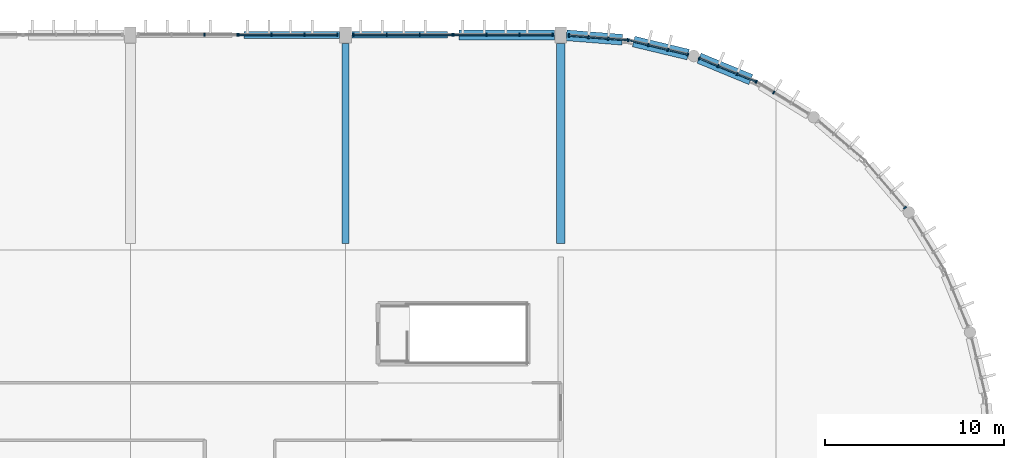
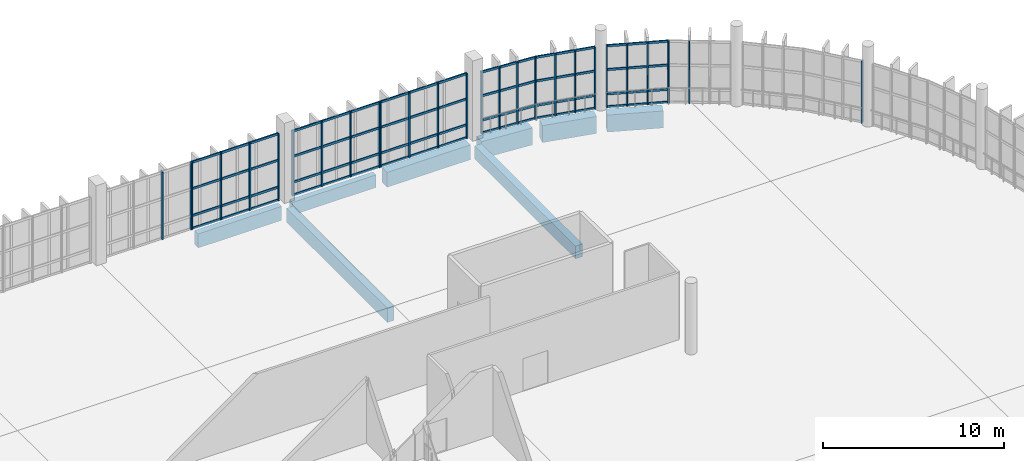
# One storey, part 56 of 112: 53 members, 8 beams, 9 elements without a shape of their own.
"""IFC4 building model written with IfcOpenShell, lengths in metres."""

import ifcopenshell
import ifcopenshell.guid

model = None  # the IFC model being written
_history = None  # IfcOwnerHistory: only IFC2X3 demands one
_inside = {}  # id of a spatial element -> (the spatial element, [elements in it])
_under = {}  # id of a project, library or spatial element -> (it, [spatial elements below it])
_declared = {}  # id of a project -> (the project, [libraries it declares])
_typed = {}  # id of a type object -> (the type object, [elements of that type])
_made_of = {}  # id of a material, layer set ... -> (it, [elements and type objects made of it])


def new_model(schema):
    """Start an empty IFC model of exactly this schema.

    Asked for "IFC4X3", IfcOpenShell would pick the latest addendum, in which some entities
    have other attributes; the version numbers below select the first issue.
    IFC2X3 requires an IfcOwnerHistory on every rooted entity: one is made here for all.
    """
    global model, _history
    if schema == "IFC4X3":
        model = ifcopenshell.file(schema_version=(4, 3, 0, 0))
    else:
        model = ifcopenshell.file(schema=schema)
    _inside.clear()
    _under.clear()
    _declared.clear()
    _typed.clear()
    _made_of.clear()
    _history = None
    if model.schema == "IFC2X3":
        org = make("IfcOrganization", Name="unknown")
        user = make(
            "IfcPersonAndOrganization",
            ThePerson=make("IfcPerson", FamilyName="unknown"),
            TheOrganization=org,
        )
        app = make(
            "IfcApplication",
            ApplicationDeveloper=org,
            Version="unknown",
            ApplicationFullName="unknown",
            ApplicationIdentifier="unknown",
        )
        _history = make(
            "IfcOwnerHistory",
            OwningUser=user,
            OwningApplication=app,
            ChangeAction="ADDED",
            CreationDate=0,
        )
    return model


def make(cls, **values):
    """One entity of the class cls with the attributes given. An attribute that is None is left unset."""
    return model.create_entity(
        cls, **{name: value for name, value in values.items() if value is not None}
    )


def rooted(cls, **values):
    """An entity with a GlobalId (a new one), such as an element, a storey or a relation."""
    return make(cls, GlobalId=ifcopenshell.guid.new(), OwnerHistory=_history, **values)


def si_unit(unit_type, name, prefix=None):
    """IfcSIUnit, for example si_unit("LENGTHUNIT", "METRE", prefix="MILLI")."""
    return make("IfcSIUnit", UnitType=unit_type, Prefix=prefix, Name=name)


def assignment(units):
    """IfcUnitAssignment: the units of a project."""
    return None if units is None else make("IfcUnitAssignment", Units=units)


def point(xyz):
    """IfcCartesianPoint."""
    return None if xyz is None else make("IfcCartesianPoint", Coordinates=xyz)


def direction(xyz):
    """IfcDirection."""
    return None if xyz is None else make("IfcDirection", DirectionRatios=xyz)


def frame(location, z_axis=None, x_axis=None):
    """IfcAxis2Placement3D, a coordinate frame: its origin and axes. An axis left out is left unset."""
    return make(
        "IfcAxis2Placement3D",
        Location=point(location),
        Axis=direction(z_axis),
        RefDirection=direction(x_axis),
    )


def frame_2d(location, x_axis=None):
    """IfcAxis2Placement2D, a coordinate frame in the plane: its origin and x axis."""
    return make(
        "IfcAxis2Placement2D", Location=point(location), RefDirection=direction(x_axis)
    )


def origin():
    """The frame at (0, 0, 0) with its axes left unset."""
    return frame((0.0, 0.0, 0.0))


def origin_2d():
    """The frame at (0, 0) in the plane with its x axis left unset."""
    return frame_2d((0.0, 0.0))


def place(relative_to, where):
    """IfcLocalPlacement: puts the frame where relative to a parent placement (None: the world)."""
    return make(
        "IfcLocalPlacement", PlacementRelTo=relative_to, RelativePlacement=where
    )


def context(
    kind, dimensions, precision=None, world=None, true_north=None, identifier=None
):
    """IfcGeometricRepresentationContext, for example the 3D "Model" context."""
    return make(
        "IfcGeometricRepresentationContext",
        ContextIdentifier=identifier,
        ContextType=kind,
        CoordinateSpaceDimension=dimensions,
        Precision=precision,
        WorldCoordinateSystem=world,
        TrueNorth=true_north,
    )


def subcontext(parent, identifier, kind, view, scale=None):
    """IfcGeometricRepresentationSubContext, for example "Body" below "Model"."""
    return make(
        "IfcGeometricRepresentationSubContext",
        ContextIdentifier=identifier,
        ContextType=kind,
        ParentContext=parent,
        TargetScale=scale,
        TargetView=view,
    )


def project(units=None, contexts=None):
    """IfcProject with its units and contexts."""
    return rooted(
        "IfcProject",
        Name="project",
        RepresentationContexts=contexts,
        UnitsInContext=assignment(units),
    )


def spatial(cls, under=None, at=None, **own):
    """A site, building, storey or space (cls), placed at a placement, below another one or the project."""
    s = rooted(cls, ObjectPlacement=at, **own)
    if under is not None:
        _under.setdefault(under.id(), (under, []))[1].append(s)
    return s


def profile(cls, at=None, kind="AREA", **sizes):
    """A parametric profile (cls). Its sizes go by their IFC names, for example OverallWidth=200.0."""
    return make(cls, ProfileType=kind, Position=at, **sizes)


def rectangle(**sizes):
    """IfcRectangleProfileDef."""
    return profile("IfcRectangleProfileDef", **sizes)


def extrude(swept, where, along, depth):
    """IfcExtrudedAreaSolid: the profile swept, set in the frame where, extruded along a direction by depth."""
    return make(
        "IfcExtrudedAreaSolid",
        SweptArea=swept,
        Position=where,
        ExtrudedDirection=direction(along),
        Depth=depth,
    )


def shape(context_of_items, identifier, shape_type, items):
    """IfcShapeRepresentation: the items that make up one representation, for example the "Body"."""
    return make(
        "IfcShapeRepresentation",
        ContextOfItems=context_of_items,
        RepresentationIdentifier=identifier,
        RepresentationType=shape_type,
        Items=items,
    )


def material(Name=None, Category=None):
    """IfcMaterial."""
    return make("IfcMaterial", Name=Name, Category=Category)


def material_profile(
    of_material, cross_section, Name=None, Category=None, Priority=None
):
    """IfcMaterialProfile: a cross section and its material."""
    return make(
        "IfcMaterialProfile",
        Name=Name,
        Material=of_material,
        Profile=cross_section,
        Priority=Priority,
        Category=Category,
    )


def profile_set(profiles, Name=None, composite=None):
    """IfcMaterialProfileSet."""
    return make(
        "IfcMaterialProfileSet",
        Name=Name,
        MaterialProfiles=profiles,
        CompositeProfile=composite,
    )


def made_of(thing, what):
    """Note that an element or type object is made of a material, layer set ...; save() writes the relation."""
    if what is not None:
        _made_of.setdefault(what.id(), (what, []))[1].append(thing)
    return thing


def type_object(cls, material=None, **own):
    """A type object (cls), such as IfcWallType, which elements share."""
    return made_of(rooted(cls, **own), material)


def element(
    cls,
    number,
    at=None,
    inside=None,
    cuts=None,
    type_object=None,
    material=None,
    context=None,
    identifier="Body",
    shape_type=None,
    held_by="IfcProductDefinitionShape",
    body=None,
    shapes=None,
    **own,
):
    """One element of the class cls, such as IfcWall. Its Tag is "e" and its number.

    at: its placement. inside: the storey or other place that contains it. cuts: it is an
    opening in that element (IfcRelVoidsElement). A single representation is given by context,
    identifier, shape_type and body (its items); several are given by shapes. held_by: the class
    of the entity that holds the representations. save() writes the other relations.
    """
    e = rooted(cls, Tag="e%d" % number, ObjectPlacement=at, **own)
    if body is not None:
        shapes = [shape(context, identifier, shape_type, body)]
    if shapes is not None:
        e.Representation = make(held_by, Representations=shapes)
    if inside is not None:
        _inside.setdefault(inside.id(), (inside, []))[1].append(e)
    if cuts is not None:
        rooted(
            "IfcRelVoidsElement", RelatingBuildingElement=cuts, RelatedOpeningElement=e
        )
    if type_object is not None:
        _typed.setdefault(type_object.id(), (type_object, []))[1].append(e)
    return made_of(e, material)


def aggregate(whole, parts):
    """IfcRelAggregates: a whole, such as a stair, and the parts it consists of."""
    return rooted("IfcRelAggregates", RelatingObject=whole, RelatedObjects=parts)


def save(model, path):
    """Write the relations noted so far, then the file.

    IfcRelAggregates (storeys below a building ...), IfcRelContainedInSpatialStructure (elements
    in a storey), IfcRelDefinesByType, IfcRelAssociatesMaterial and IfcRelDeclares: one each for
    every whole, place, type object, material and project.
    """
    for whole, parts in _under.values():
        aggregate(whole, parts)
    for where, things in _inside.values():
        rooted(
            "IfcRelContainedInSpatialStructure",
            RelatedElements=things,
            RelatingStructure=where,
        )
    for kind, things in _typed.values():
        rooted("IfcRelDefinesByType", RelatedObjects=things, RelatingType=kind)
    for what, things in _made_of.values():
        rooted("IfcRelAssociatesMaterial", RelatedObjects=things, RelatingMaterial=what)
    for by, libraries in _declared.values():
        rooted("IfcRelDeclares", RelatingContext=by, RelatedDefinitions=libraries)
    model.write(path)


model = new_model("IFC4")

# Units and contexts
model_context = context("Model", 3, precision=1e-05, world=origin(), true_north=direction((0.0, 1.0)))
body_context = subcontext(model_context, "Body", "Model", "MODEL_VIEW")
ifc_project = project(units=[si_unit("LENGTHUNIT", "METRE"), si_unit("AREAUNIT", "SQUARE_METRE"), si_unit("VOLUMEUNIT", "CUBIC_METRE"), si_unit("PLANEANGLEUNIT", "RADIAN"), si_unit("MASSUNIT", "GRAM", prefix="KILO")], contexts=[model_context])

# Site, building, storey
site_placement = place(None, origin())
site = spatial("IfcSite", under=ifc_project, at=site_placement, CompositionType="ELEMENT")
building_placement = place(site_placement, origin())
building = spatial("IfcBuilding", under=site, at=building_placement, Name="Kamomehara Wholesale Market", CompositionType="ELEMENT")
storey_placement = place(building_placement, frame((0.0, 0.0, 6.60009765625)))
storey = spatial("IfcBuildingStorey", under=building, at=storey_placement, Name="L01", CompositionType="ELEMENT", Elevation=6.60009765625)

# Beams
ifc_material_1 = material(Name="Precast concrete Fc45 (C40/50)", Category="concrete")
ifc_material_profile_1 = material_profile(ifc_material_1, rectangle(XDim=0.449951171875, YDim=0.85009765625, at=origin_2d()), Name="PC-GRD-450x850")
ifc_profile_set_1 = profile_set([ifc_material_profile_1], Name="Precast concrete Fc45 (C40/50)")
beam_type_1 = type_object("IfcBeamType", Name="BM-PG850", PredefinedType="T_BEAM", material=ifc_profile_set_1)
beam_1_placement = place(storey_placement, frame((180.0, 144.375, -0.757080078125), z_axis=(0.0, 1.0, 0.0), x_axis=(-1.0, 0.0, 0.0)))
element("IfcBeam", 1, at=beam_1_placement, inside=storey, type_object=beam_type_1, Name="Beam PG-11 L01", PredefinedType="T_BEAM", context=body_context, shape_type="SweptSolid", body=[
    extrude(rectangle(XDim=0.449951171875, YDim=0.85009765625, at=origin_2d()), origin(), (0.0, 0.0, 1.0), 11.14990234375),
])
ifc_material_2 = material(Name="Concrete Fc36 (C35/45)", Category="concrete")
ifc_material_profile_2 = material_profile(ifc_material_2, rectangle(XDim=0.550048828125, YDim=1.0, at=origin_2d()), Name="RC-SEB-550x1000")
ifc_profile_set_2 = profile_set([ifc_material_profile_2], Name="Concrete Fc36 (C35/45)")
beam_type_2 = type_object("IfcBeamType", Name="BM-SEB1000-EXT", PredefinedType="SPANDREL", material=ifc_profile_set_2)
beam_2_placement = place(storey_placement, frame((174.324951171875, 156.0, -0.83203125), z_axis=(1.0, 0.0, 0.0), x_axis=(0.0, 1.0, 0.0)))
element("IfcBeam", 2, at=beam_2_placement, inside=storey, type_object=beam_type_2, Name="Beam SEB-03E L01", PredefinedType="SPANDREL", context=body_context, shape_type="SweptSolid", body=[
    extrude(rectangle(XDim=0.550048828125, YDim=1.0, at=origin_2d()), origin(), (0.0, 0.0, 1.0), 5.324951171875),
])
ifc_material_3 = material(Name="Concrete Fc36 (C35/45)", Category="concrete")
ifc_material_profile_3 = material_profile(ifc_material_3, rectangle(XDim=0.60009765625, YDim=1.14990234375, at=origin_2d()), Name="RC-SEB-600x1150")
ifc_profile_set_3 = profile_set([ifc_material_profile_3], Name="Concrete Fc36 (C35/45)")
beam_type_3 = type_object("IfcBeamType", Name="BM-SEB1150-EXT", PredefinedType="SPANDREL", material=ifc_profile_set_3)
beam_3_placement = place(storey_placement, frame((190.60009765625, 153.506103515625, -0.906982421875), z_axis=(-0.923828348111, 0.382806979073, 0.0), x_axis=(-0.382806979073, -0.923828348111, 0.0)))
element("IfcBeam", 3, at=beam_3_placement, inside=storey, type_object=beam_type_3, Name="Beam SEB-02E L01", PredefinedType="SPANDREL", context=body_context, shape_type="SweptSolid", body=[
    extrude(rectangle(XDim=0.60009765625, YDim=1.14990234375, at=origin_2d()), origin(), (0.0, 0.0, 1.0), 3.126220703125),
])
beam_4_placement = place(storey_placement, frame((187.10498046875, 154.89990234375, -0.906982421875), z_axis=(-0.972360360222, 0.233485181261, 0.0), x_axis=(-0.233485181261, -0.972360360222, 0.0)))
element("IfcBeam", 4, at=beam_4_placement, inside=storey, type_object=beam_type_3, Name="Beam SEB-02E L01", PredefinedType="SPANDREL", context=body_context, shape_type="SweptSolid", body=[
    extrude(rectangle(XDim=0.60009765625, YDim=1.14990234375, at=origin_2d()), origin(), (0.0, 0.0, 1.0), 3.12646484375),
])
beam_5_placement = place(storey_placement, frame((183.43505859375, 155.72998046875, -0.906982421875), z_axis=(-0.996920203852, 0.078422618872, 0.0), x_axis=(-0.078422618872, -0.996920203852, 0.0)))
element("IfcBeam", 5, at=beam_5_placement, inside=storey, type_object=beam_type_3, Name="Beam SEB-02E L01", PredefinedType="SPANDREL", context=body_context, shape_type="SweptSolid", body=[
    extrude(rectangle(XDim=0.60009765625, YDim=1.14990234375, at=origin_2d()), origin(), (0.0, 0.0, 1.0), 3.12548828125),
])
ifc_material_4 = material(Name="Precast concrete Fc45 (C40/50)", Category="concrete")
ifc_material_profile_4 = material_profile(ifc_material_4, rectangle(XDim=0.35009765625, YDim=0.85009765625, at=origin_2d()), Name="PC-SPN-350x850")
ifc_profile_set_4 = profile_set([ifc_material_profile_4], Name="Precast concrete Fc45 (C40/50)")
beam_type_4 = type_object("IfcBeamType", Name="BM-SPN850-EXT", PredefinedType="SPANDREL", material=ifc_profile_set_4)
beam_6_placement = place(storey_placement, frame((168.35009765625, 156.0, -0.757080078125), z_axis=(1.0, 0.0, 0.0), x_axis=(0.0, 1.0, 0.0)))
element("IfcBeam", 6, at=beam_6_placement, inside=storey, type_object=beam_type_4, Name="Beam SPN-02E L01", PredefinedType="SPANDREL", context=body_context, shape_type="SweptSolid", body=[
    extrude(rectangle(XDim=0.35009765625, YDim=0.85009765625, at=origin_2d()), origin(), (0.0, 0.0, 1.0), 5.324951171875),
])
ifc_material_5 = material(Name="Precast concrete Fc45 (C40/50)", Category="concrete")
ifc_material_profile_5 = material_profile(ifc_material_5, rectangle(XDim=0.39990234375, YDim=0.949951171875, at=origin_2d()), Name="PC-SPN-400x950")
ifc_profile_set_5 = profile_set([ifc_material_profile_5], Name="Precast concrete Fc45 (C40/50)")
beam_type_5 = type_object("IfcBeamType", Name="BM-SPN950-EXT", PredefinedType="SPANDREL", material=ifc_profile_set_5)
beam_7_placement = place(storey_placement, frame((168.0, 144.375, -0.80712890625), z_axis=(0.0, 1.0, 0.0), x_axis=(-1.0, 0.0, 0.0)))
element("IfcBeam", 7, at=beam_7_placement, inside=storey, type_object=beam_type_5, Name="Beam SPN-01E L01", PredefinedType="SPANDREL", context=body_context, shape_type="SweptSolid", body=[
    extrude(rectangle(XDim=0.39990234375, YDim=0.949951171875, at=origin_2d()), origin(), (0.0, 0.0, 1.0), 11.14990234375),
])
beam_8_placement = place(storey_placement, frame((162.324951171875, 156.0, -0.797119140625), z_axis=(1.0, 0.0, 0.0), x_axis=(0.0, 1.0, 0.0)))
element("IfcBeam", 8, at=beam_8_placement, inside=storey, type_object=beam_type_5, Name="Beam SPN-01E L01", PredefinedType="SPANDREL", context=body_context, shape_type="SweptSolid", body=[
    extrude(rectangle(XDim=0.39990234375, YDim=0.949951171875, at=origin_2d()), origin(), (0.0, 0.0, 1.0), 5.324951171875),
])

# Curtain wall, members
ifc_material_6 = material(Name="Anodised aluminium 6063-T5", Category="aluminium")
curtain_wall_type_1 = type_object("IfcCurtainWallType", Name="CW-UN-02", PredefinedType="NOTDEFINED", material=ifc_material_6)
curtain_wall_1_placement = place(storey_placement, origin())
curtain_wall_1 = element("IfcCurtainWall", 9, at=curtain_wall_1_placement, inside=storey, type_object=curtain_wall_type_1, Name="Unitised curtain wall CW-089", PredefinedType="NOTDEFINED")
ifc_material_7 = material(Name="Anodised aluminium 6063-T5", Category="aluminium")
ifc_material_profile_6 = material_profile(ifc_material_7, rectangle(XDim=0.074951171875, YDim=0.179931640625, at=origin_2d()), Name="ALU-MUL-75x180")
ifc_profile_set_6 = profile_set([ifc_material_profile_6], Name="Anodised aluminium 6063-T5")
member_type_1 = type_object("IfcMemberType", Name="CW-MUL-180", PredefinedType="MULLION", material=ifc_profile_set_6)
member_1_placement = place(storey_placement, frame((160.133056640625, 156.0, 0.0), z_axis=(0.0, 0.0, 1.0), x_axis=(1.0, 0.0, 0.0)))
member_1 = element("IfcMember", 10, at=member_1_placement, type_object=member_type_1, Name="Mullion CW-089.2", PredefinedType="MULLION", context=body_context, shape_type="SweptSolid", body=[
    extrude(rectangle(XDim=0.074951171875, YDim=0.179931640625, at=origin_2d()), origin(), (0.0, 0.0, 1.0), 4.52978515625),
])
member_2_placement = place(storey_placement, frame((161.969970703125, 156.0, 0.0), z_axis=(0.0, 0.0, 1.0), x_axis=(1.0, 0.0, 0.0)))
member_2 = element("IfcMember", 11, at=member_2_placement, type_object=member_type_1, Name="Mullion CW-089.3", PredefinedType="MULLION", context=body_context, shape_type="SweptSolid", body=[
    extrude(rectangle(XDim=0.074951171875, YDim=0.179931640625, at=origin_2d()), origin(), (0.0, 0.0, 1.0), 4.52978515625),
])
aggregate(curtain_wall_1, [member_1, member_2])

curtain_wall_2_placement = place(storey_placement, origin())
curtain_wall_2 = element("IfcCurtainWall", 12, at=curtain_wall_2_placement, inside=storey, type_object=curtain_wall_type_1, Name="Unitised curtain wall CW-090", PredefinedType="NOTDEFINED")
member_3_placement = place(storey_placement, frame((162.030029296875, 156.0, 0.0), z_axis=(0.0, 0.0, 1.0), x_axis=(1.0, 0.0, 0.0)))
member_3 = element("IfcMember", 13, at=member_3_placement, type_object=member_type_1, Name="Mullion CW-090.0", PredefinedType="MULLION", context=body_context, shape_type="SweptSolid", body=[
    extrude(rectangle(XDim=0.074951171875, YDim=0.179931640625, at=origin_2d()), origin(), (0.0, 0.0, 1.0), 4.52978515625),
])
member_4_placement = place(storey_placement, frame((163.866943359375, 156.0, 0.0), z_axis=(0.0, 0.0, 1.0), x_axis=(1.0, 0.0, 0.0)))
member_4 = element("IfcMember", 14, at=member_4_placement, type_object=member_type_1, Name="Mullion CW-090.1", PredefinedType="MULLION", context=body_context, shape_type="SweptSolid", body=[
    extrude(rectangle(XDim=0.074951171875, YDim=0.179931640625, at=origin_2d()), origin(), (0.0, 0.0, 1.0), 4.52978515625),
])
member_5_placement = place(storey_placement, frame((165.702880859375, 156.0, 0.0), z_axis=(0.0, 0.0, 1.0), x_axis=(1.0, 0.0, 0.0)))
member_5 = element("IfcMember", 15, at=member_5_placement, type_object=member_type_1, Name="Mullion CW-090.2", PredefinedType="MULLION", context=body_context, shape_type="SweptSolid", body=[
    extrude(rectangle(XDim=0.074951171875, YDim=0.179931640625, at=origin_2d()), origin(), (0.0, 0.0, 1.0), 4.52978515625),
])
member_6_placement = place(storey_placement, frame((167.5400390625, 156.0, 0.0), z_axis=(0.0, 0.0, 1.0), x_axis=(1.0, 0.0, 0.0)))
member_6 = element("IfcMember", 16, at=member_6_placement, type_object=member_type_1, Name="Mullion CW-090.3", PredefinedType="MULLION", context=body_context, shape_type="SweptSolid", body=[
    extrude(rectangle(XDim=0.074951171875, YDim=0.179931640625, at=origin_2d()), origin(), (0.0, 0.0, 1.0), 4.52978515625),
])

curtain_wall_3_placement = place(storey_placement, origin())
curtain_wall_3 = element("IfcCurtainWall", 17, at=curtain_wall_3_placement, inside=storey, type_object=curtain_wall_type_1, Name="Unitised curtain wall CW-093", PredefinedType="NOTDEFINED")
member_7_placement = place(storey_placement, frame((168.4599609375, 156.0, 0.0), z_axis=(0.0, 0.0, 1.0), x_axis=(1.0, 0.0, 0.0)))
member_7 = element("IfcMember", 18, at=member_7_placement, type_object=member_type_1, Name="Mullion CW-093.0", PredefinedType="MULLION", context=body_context, shape_type="SweptSolid", body=[
    extrude(rectangle(XDim=0.074951171875, YDim=0.179931640625, at=origin_2d()), origin(), (0.0, 0.0, 1.0), 4.3798828125),
])
member_8_placement = place(storey_placement, frame((170.297119140625, 156.0, 0.0), z_axis=(0.0, 0.0, 1.0), x_axis=(1.0, 0.0, 0.0)))
member_8 = element("IfcMember", 19, at=member_8_placement, type_object=member_type_1, Name="Mullion CW-093.1", PredefinedType="MULLION", context=body_context, shape_type="SweptSolid", body=[
    extrude(rectangle(XDim=0.074951171875, YDim=0.179931640625, at=origin_2d()), origin(), (0.0, 0.0, 1.0), 4.3798828125),
])
member_9_placement = place(storey_placement, frame((172.133056640625, 156.0, 0.0), z_axis=(0.0, 0.0, 1.0), x_axis=(1.0, 0.0, 0.0)))
member_9 = element("IfcMember", 20, at=member_9_placement, type_object=member_type_1, Name="Mullion CW-093.2", PredefinedType="MULLION", context=body_context, shape_type="SweptSolid", body=[
    extrude(rectangle(XDim=0.074951171875, YDim=0.179931640625, at=origin_2d()), origin(), (0.0, 0.0, 1.0), 4.3798828125),
])
member_10_placement = place(storey_placement, frame((173.969970703125, 156.0, 0.0), z_axis=(0.0, 0.0, 1.0), x_axis=(1.0, 0.0, 0.0)))
member_10 = element("IfcMember", 21, at=member_10_placement, type_object=member_type_1, Name="Mullion CW-093.3", PredefinedType="MULLION", context=body_context, shape_type="SweptSolid", body=[
    extrude(rectangle(XDim=0.074951171875, YDim=0.179931640625, at=origin_2d()), origin(), (0.0, 0.0, 1.0), 4.3798828125),
])

curtain_wall_4_placement = place(storey_placement, origin())
curtain_wall_4 = element("IfcCurtainWall", 22, at=curtain_wall_4_placement, inside=storey, type_object=curtain_wall_type_1, Name="Unitised curtain wall CW-094", PredefinedType="NOTDEFINED")
member_11_placement = place(storey_placement, frame((174.030029296875, 156.0, 0.0), z_axis=(0.0, 0.0, 1.0), x_axis=(1.0, 0.0, 0.0)))
member_11 = element("IfcMember", 23, at=member_11_placement, type_object=member_type_1, Name="Mullion CW-094.0", PredefinedType="MULLION", context=body_context, shape_type="SweptSolid", body=[
    extrude(rectangle(XDim=0.074951171875, YDim=0.179931640625, at=origin_2d()), origin(), (0.0, 0.0, 1.0), 4.3798828125),
])
member_12_placement = place(storey_placement, frame((175.866943359375, 156.0, 0.0), z_axis=(0.0, 0.0, 1.0), x_axis=(1.0, 0.0, 0.0)))
member_12 = element("IfcMember", 24, at=member_12_placement, type_object=member_type_1, Name="Mullion CW-094.1", PredefinedType="MULLION", context=body_context, shape_type="SweptSolid", body=[
    extrude(rectangle(XDim=0.074951171875, YDim=0.179931640625, at=origin_2d()), origin(), (0.0, 0.0, 1.0), 4.3798828125),
])
member_13_placement = place(storey_placement, frame((177.702880859375, 156.0, 0.0), z_axis=(0.0, 0.0, 1.0), x_axis=(1.0, 0.0, 0.0)))
member_13 = element("IfcMember", 25, at=member_13_placement, type_object=member_type_1, Name="Mullion CW-094.2", PredefinedType="MULLION", context=body_context, shape_type="SweptSolid", body=[
    extrude(rectangle(XDim=0.074951171875, YDim=0.179931640625, at=origin_2d()), origin(), (0.0, 0.0, 1.0), 4.3798828125),
])
member_14_placement = place(storey_placement, frame((179.5400390625, 156.0, 0.0), z_axis=(0.0, 0.0, 1.0), x_axis=(1.0, 0.0, 0.0)))
member_14 = element("IfcMember", 26, at=member_14_placement, type_object=member_type_1, Name="Mullion CW-094.3", PredefinedType="MULLION", context=body_context, shape_type="SweptSolid", body=[
    extrude(rectangle(XDim=0.074951171875, YDim=0.179931640625, at=origin_2d()), origin(), (0.0, 0.0, 1.0), 4.3798828125),
])

ifc_material_8 = material(Name="Anodised aluminium 6063-T5", Category="aluminium")
curtain_wall_type_2 = type_object("IfcCurtainWallType", Name="CW-UN-05", PredefinedType="NOTDEFINED", material=ifc_material_8)
curtain_wall_5_placement = place(storey_placement, origin())
curtain_wall_5 = element("IfcCurtainWall", 27, at=curtain_wall_5_placement, inside=storey, type_object=curtain_wall_type_2, Name="Unitised curtain wall CW-097", PredefinedType="NOTDEFINED")
member_15_placement = place(storey_placement, frame((180.458984375, 155.964111328125, 0.0), z_axis=(0.0, 0.0, 1.0), x_axis=(0.996930055737, -0.078297279439, 0.0)))
member_15 = element("IfcMember", 28, at=member_15_placement, type_object=member_type_1, Name="Mullion CW-097.0", PredefinedType="MULLION", context=body_context, shape_type="SweptSolid", body=[
    extrude(rectangle(XDim=0.074951171875, YDim=0.179931640625, at=origin_2d()), origin(), (0.0, 0.0, 1.0), 4.179931640625),
])
member_16_placement = place(storey_placement, frame((181.553955078125, 155.8779296875, 0.0), z_axis=(0.0, 0.0, 1.0), x_axis=(0.996930055737, -0.078297279439, 0.0)))
member_16 = element("IfcMember", 29, at=member_16_placement, type_object=member_type_1, Name="Mullion CW-097.1", PredefinedType="MULLION", context=body_context, shape_type="SweptSolid", body=[
    extrude(rectangle(XDim=0.074951171875, YDim=0.179931640625, at=origin_2d()), origin(), (0.0, 0.0, 1.0), 4.179931640625),
])
member_17_placement = place(storey_placement, frame((182.64892578125, 155.7919921875, 0.0), z_axis=(0.0, 0.0, 1.0), x_axis=(0.996930055737, -0.078297279439, 0.0)))
member_17 = element("IfcMember", 30, at=member_17_placement, type_object=member_type_1, Name="Mullion CW-097.2", PredefinedType="MULLION", context=body_context, shape_type="SweptSolid", body=[
    extrude(rectangle(XDim=0.074951171875, YDim=0.179931640625, at=origin_2d()), origin(), (0.0, 0.0, 1.0), 4.179931640625),
])
member_18_placement = place(storey_placement, frame((183.743896484375, 155.7060546875, 0.0), z_axis=(0.0, 0.0, 1.0), x_axis=(0.996930055737, -0.078297279439, 0.0)))
member_18 = element("IfcMember", 31, at=member_18_placement, type_object=member_type_1, Name="Mullion CW-097.3", PredefinedType="MULLION", context=body_context, shape_type="SweptSolid", body=[
    extrude(rectangle(XDim=0.074951171875, YDim=0.179931640625, at=origin_2d()), origin(), (0.0, 0.0, 1.0), 4.179931640625),
])

curtain_wall_6_placement = place(storey_placement, origin())
curtain_wall_6 = element("IfcCurtainWall", 32, at=curtain_wall_6_placement, inside=storey, type_object=curtain_wall_type_2, Name="Unitised curtain wall CW-098", PredefinedType="NOTDEFINED")
member_19_placement = place(storey_placement, frame((183.763916015625, 155.702880859375, 0.0), z_axis=(0.0, 0.0, 1.0), x_axis=(0.972270417106, -0.233859436457, 0.0)))
member_19 = element("IfcMember", 33, at=member_19_placement, type_object=member_type_1, Name="Mullion CW-098.0", PredefinedType="MULLION", context=body_context, shape_type="SweptSolid", body=[
    extrude(rectangle(XDim=0.074951171875, YDim=0.179931640625, at=origin_2d()), origin(), (0.0, 0.0, 1.0), 4.179931640625),
])
member_20_placement = place(storey_placement, frame((184.873046875, 155.43603515625, 0.0), z_axis=(0.0, 0.0, 1.0), x_axis=(0.972270417106, -0.233859436457, 0.0)))
member_20 = element("IfcMember", 34, at=member_20_placement, type_object=member_type_1, Name="Mullion CW-098.1", PredefinedType="MULLION", context=body_context, shape_type="SweptSolid", body=[
    extrude(rectangle(XDim=0.074951171875, YDim=0.179931640625, at=origin_2d()), origin(), (0.0, 0.0, 1.0), 4.179931640625),
])
member_21_placement = place(storey_placement, frame((185.98095703125, 155.169921875, 0.0), z_axis=(0.0, 0.0, 1.0), x_axis=(0.972270417106, -0.233859436457, 0.0)))
member_21 = element("IfcMember", 35, at=member_21_placement, type_object=member_type_1, Name="Mullion CW-098.2", PredefinedType="MULLION", context=body_context, shape_type="SweptSolid", body=[
    extrude(rectangle(XDim=0.074951171875, YDim=0.179931640625, at=origin_2d()), origin(), (0.0, 0.0, 1.0), 4.179931640625),
])
member_22_placement = place(storey_placement, frame((187.090087890625, 154.903076171875, 0.0), z_axis=(0.0, 0.0, 1.0), x_axis=(0.972270417106, -0.233859436457, 0.0)))
member_22 = element("IfcMember", 36, at=member_22_placement, type_object=member_type_1, Name="Mullion CW-098.3", PredefinedType="MULLION", context=body_context, shape_type="SweptSolid", body=[
    extrude(rectangle(XDim=0.074951171875, YDim=0.179931640625, at=origin_2d()), origin(), (0.0, 0.0, 1.0), 4.179931640625),
])

curtain_wall_7_placement = place(storey_placement, origin())
curtain_wall_7 = element("IfcCurtainWall", 37, at=curtain_wall_7_placement, inside=storey, type_object=curtain_wall_type_2, Name="Unitised curtain wall CW-099", PredefinedType="NOTDEFINED")
member_23_placement = place(storey_placement, frame((187.72607421875, 154.697021484375, 0.0), z_axis=(0.0, 0.0, 1.0), x_axis=(0.923913592189, -0.382601194677, 0.0)))
member_23 = element("IfcMember", 38, at=member_23_placement, type_object=member_type_1, Name="Mullion CW-099.0", PredefinedType="MULLION", context=body_context, shape_type="SweptSolid", body=[
    extrude(rectangle(XDim=0.074951171875, YDim=0.179931640625, at=origin_2d()), origin(), (0.0, 0.0, 1.0), 4.179931640625),
])
member_24_placement = place(storey_placement, frame((188.780029296875, 154.260986328125, 0.0), z_axis=(0.0, 0.0, 1.0), x_axis=(0.923913592189, -0.382601194677, 0.0)))
member_24 = element("IfcMember", 39, at=member_24_placement, type_object=member_type_1, Name="Mullion CW-099.1", PredefinedType="MULLION", context=body_context, shape_type="SweptSolid", body=[
    extrude(rectangle(XDim=0.074951171875, YDim=0.179931640625, at=origin_2d()), origin(), (0.0, 0.0, 1.0), 4.179931640625),
])
member_25_placement = place(storey_placement, frame((189.8330078125, 153.823974609375, 0.0), z_axis=(0.0, 0.0, 1.0), x_axis=(0.923913592189, -0.382601194677, 0.0)))
member_25 = element("IfcMember", 40, at=member_25_placement, type_object=member_type_1, Name="Mullion CW-099.2", PredefinedType="MULLION", context=body_context, shape_type="SweptSolid", body=[
    extrude(rectangle(XDim=0.074951171875, YDim=0.179931640625, at=origin_2d()), origin(), (0.0, 0.0, 1.0), 4.179931640625),
])
member_26_placement = place(storey_placement, frame((190.886962890625, 153.387939453125, 0.0), z_axis=(0.0, 0.0, 1.0), x_axis=(0.923913592189, -0.382601194677, 0.0)))
member_26 = element("IfcMember", 41, at=member_26_placement, type_object=member_type_1, Name="Mullion CW-099.3", PredefinedType="MULLION", context=body_context, shape_type="SweptSolid", body=[
    extrude(rectangle(XDim=0.074951171875, YDim=0.179931640625, at=origin_2d()), origin(), (0.0, 0.0, 1.0), 4.179931640625),
])

curtain_wall_8_placement = place(storey_placement, origin())
curtain_wall_8 = element("IfcCurtainWall", 42, at=curtain_wall_8_placement, inside=storey, type_object=curtain_wall_type_2, Name="Unitised curtain wall CW-100", PredefinedType="NOTDEFINED")
member_27_placement = place(storey_placement, frame((190.905029296875, 153.37890625, 0.0), z_axis=(0.0, 0.0, 1.0), x_axis=(0.852500608355, -0.522726231171, 0.0)))
member_27 = element("IfcMember", 43, at=member_27_placement, type_object=member_type_1, Name="Mullion CW-100.0", PredefinedType="MULLION", context=body_context, shape_type="SweptSolid", body=[
    extrude(rectangle(XDim=0.074951171875, YDim=0.179931640625, at=origin_2d()), origin(), (0.0, 0.0, 1.0), 4.179931640625),
])
member_28_placement = place(storey_placement, frame((191.876953125, 152.782958984375, 0.0), z_axis=(0.0, 0.0, 1.0), x_axis=(0.852500608355, -0.522726231171, 0.0)))
member_28 = element("IfcMember", 44, at=member_28_placement, type_object=member_type_1, Name="Mullion CW-100.1", PredefinedType="MULLION", context=body_context, shape_type="SweptSolid", body=[
    extrude(rectangle(XDim=0.074951171875, YDim=0.179931640625, at=origin_2d()), origin(), (0.0, 0.0, 1.0), 4.179931640625),
])
aggregate(curtain_wall_8, [member_27, member_28])

# Curtain wall, member
curtain_wall_9_placement = place(storey_placement, origin())
curtain_wall_9 = element("IfcCurtainWall", 45, at=curtain_wall_9_placement, inside=storey, type_object=curtain_wall_type_2, Name="Unitised curtain wall CW-102", PredefinedType="NOTDEFINED")
member_29_placement = place(storey_placement, frame((199.197998046875, 146.362060546875, 0.0), z_axis=(0.0, 0.0, 1.0), x_axis=(0.649369742519, -0.760472838108, 0.0)))
member_29 = element("IfcMember", 46, at=member_29_placement, type_object=member_type_1, Name="Mullion CW-102.3", PredefinedType="MULLION", context=body_context, shape_type="SweptSolid", body=[
    extrude(rectangle(XDim=0.074951171875, YDim=0.179931640625, at=origin_2d()), origin(), (0.0, 0.0, 1.0), 4.179931640625),
])
aggregate(curtain_wall_9, [member_29])

# Member
ifc_material_9 = material(Name="Anodised aluminium 6063-T5", Category="aluminium")
ifc_material_profile_7 = material_profile(ifc_material_9, rectangle(XDim=0.074951171875, YDim=0.14990234375, at=origin_2d()), Name="ALU-TRN-75x150")
ifc_profile_set_7 = profile_set([ifc_material_profile_7], Name="Anodised aluminium 6063-T5")
member_type_2 = type_object("IfcMemberType", Name="CW-TRN-150", PredefinedType="USERDEFINED", material=ifc_profile_set_7)
member_30_placement = place(storey_placement, frame((162.030029296875, 156.0, 0.039794921875), z_axis=(1.0, 0.0, 0.0), x_axis=(0.0, 1.0, 0.0)))
member_30 = element("IfcMember", 47, at=member_30_placement, type_object=member_type_2, Name="Transom CW-090.0", ObjectType="TRANSOM", PredefinedType="USERDEFINED", context=body_context, shape_type="SweptSolid", body=[
    extrude(rectangle(XDim=0.074951171875, YDim=0.14990234375, at=origin_2d()), origin(), (0.0, 0.0, 1.0), 5.510009765625),
])

member_31_placement = place(storey_placement, frame((162.030029296875, 156.0, 0.89990234375), z_axis=(1.0, 0.0, 0.0), x_axis=(0.0, 1.0, 0.0)))
member_31 = element("IfcMember", 48, at=member_31_placement, type_object=member_type_2, Name="Transom CW-090.1", ObjectType="TRANSOM", PredefinedType="USERDEFINED", context=body_context, shape_type="SweptSolid", body=[
    extrude(rectangle(XDim=0.074951171875, YDim=0.14990234375, at=origin_2d()), origin(), (0.0, 0.0, 1.0), 5.510009765625),
])

member_32_placement = place(storey_placement, frame((162.030029296875, 156.0, 2.71484375), z_axis=(1.0, 0.0, 0.0), x_axis=(0.0, 1.0, 0.0)))
member_32 = element("IfcMember", 49, at=member_32_placement, type_object=member_type_2, Name="Transom CW-090.2", ObjectType="TRANSOM", PredefinedType="USERDEFINED", context=body_context, shape_type="SweptSolid", body=[
    extrude(rectangle(XDim=0.074951171875, YDim=0.14990234375, at=origin_2d()), origin(), (0.0, 0.0, 1.0), 5.510009765625),
])

member_33_placement = place(storey_placement, frame((162.030029296875, 156.0, 4.489990234375), z_axis=(1.0, 0.0, 0.0), x_axis=(0.0, 1.0, 0.0)))
member_33 = element("IfcMember", 50, at=member_33_placement, type_object=member_type_2, Name="Transom CW-090.3", ObjectType="TRANSOM", PredefinedType="USERDEFINED", context=body_context, shape_type="SweptSolid", body=[
    extrude(rectangle(XDim=0.074951171875, YDim=0.14990234375, at=origin_2d()), origin(), (0.0, 0.0, 1.0), 5.510009765625),
])

aggregate(curtain_wall_2, [member_3, member_4, member_5, member_6, member_30, member_31, member_32, member_33])

member_34_placement = place(storey_placement, frame((168.4599609375, 156.0, 0.039794921875), z_axis=(1.0, 0.0, 0.0), x_axis=(0.0, 1.0, 0.0)))
member_34 = element("IfcMember", 51, at=member_34_placement, type_object=member_type_2, Name="Transom CW-093.0", ObjectType="TRANSOM", PredefinedType="USERDEFINED", context=body_context, shape_type="SweptSolid", body=[
    extrude(rectangle(XDim=0.074951171875, YDim=0.14990234375, at=origin_2d()), origin(), (0.0, 0.0, 1.0), 5.510009765625),
])

member_35_placement = place(storey_placement, frame((168.4599609375, 156.0, 0.89990234375), z_axis=(1.0, 0.0, 0.0), x_axis=(0.0, 1.0, 0.0)))
member_35 = element("IfcMember", 52, at=member_35_placement, type_object=member_type_2, Name="Transom CW-093.1", ObjectType="TRANSOM", PredefinedType="USERDEFINED", context=body_context, shape_type="SweptSolid", body=[
    extrude(rectangle(XDim=0.074951171875, YDim=0.14990234375, at=origin_2d()), origin(), (0.0, 0.0, 1.0), 5.510009765625),
])

member_36_placement = place(storey_placement, frame((168.4599609375, 156.0, 2.639892578125), z_axis=(1.0, 0.0, 0.0), x_axis=(0.0, 1.0, 0.0)))
member_36 = element("IfcMember", 53, at=member_36_placement, type_object=member_type_2, Name="Transom CW-093.2", ObjectType="TRANSOM", PredefinedType="USERDEFINED", context=body_context, shape_type="SweptSolid", body=[
    extrude(rectangle(XDim=0.074951171875, YDim=0.14990234375, at=origin_2d()), origin(), (0.0, 0.0, 1.0), 5.510009765625),
])

member_37_placement = place(storey_placement, frame((168.4599609375, 156.0, 4.33984375), z_axis=(1.0, 0.0, 0.0), x_axis=(0.0, 1.0, 0.0)))
member_37 = element("IfcMember", 54, at=member_37_placement, type_object=member_type_2, Name="Transom CW-093.3", ObjectType="TRANSOM", PredefinedType="USERDEFINED", context=body_context, shape_type="SweptSolid", body=[
    extrude(rectangle(XDim=0.074951171875, YDim=0.14990234375, at=origin_2d()), origin(), (0.0, 0.0, 1.0), 5.510009765625),
])

aggregate(curtain_wall_3, [member_7, member_8, member_9, member_10, member_34, member_35, member_36, member_37])

member_38_placement = place(storey_placement, frame((174.030029296875, 156.0, 0.039794921875), z_axis=(1.0, 0.0, 0.0), x_axis=(0.0, 1.0, 0.0)))
member_38 = element("IfcMember", 55, at=member_38_placement, type_object=member_type_2, Name="Transom CW-094.0", ObjectType="TRANSOM", PredefinedType="USERDEFINED", context=body_context, shape_type="SweptSolid", body=[
    extrude(rectangle(XDim=0.074951171875, YDim=0.14990234375, at=origin_2d()), origin(), (0.0, 0.0, 1.0), 5.510009765625),
])

member_39_placement = place(storey_placement, frame((174.030029296875, 156.0, 0.89990234375), z_axis=(1.0, 0.0, 0.0), x_axis=(0.0, 1.0, 0.0)))
member_39 = element("IfcMember", 56, at=member_39_placement, type_object=member_type_2, Name="Transom CW-094.1", ObjectType="TRANSOM", PredefinedType="USERDEFINED", context=body_context, shape_type="SweptSolid", body=[
    extrude(rectangle(XDim=0.074951171875, YDim=0.14990234375, at=origin_2d()), origin(), (0.0, 0.0, 1.0), 5.510009765625),
])

member_40_placement = place(storey_placement, frame((174.030029296875, 156.0, 2.639892578125), z_axis=(1.0, 0.0, 0.0), x_axis=(0.0, 1.0, 0.0)))
member_40 = element("IfcMember", 57, at=member_40_placement, type_object=member_type_2, Name="Transom CW-094.2", ObjectType="TRANSOM", PredefinedType="USERDEFINED", context=body_context, shape_type="SweptSolid", body=[
    extrude(rectangle(XDim=0.074951171875, YDim=0.14990234375, at=origin_2d()), origin(), (0.0, 0.0, 1.0), 5.510009765625),
])

member_41_placement = place(storey_placement, frame((174.030029296875, 156.0, 4.33984375), z_axis=(1.0, 0.0, 0.0), x_axis=(0.0, 1.0, 0.0)))
member_41 = element("IfcMember", 58, at=member_41_placement, type_object=member_type_2, Name="Transom CW-094.3", ObjectType="TRANSOM", PredefinedType="USERDEFINED", context=body_context, shape_type="SweptSolid", body=[
    extrude(rectangle(XDim=0.074951171875, YDim=0.14990234375, at=origin_2d()), origin(), (0.0, 0.0, 1.0), 5.510009765625),
])

aggregate(curtain_wall_4, [member_11, member_12, member_13, member_14, member_38, member_39, member_40, member_41])

member_42_placement = place(storey_placement, frame((180.458984375, 155.964111328125, 0.039794921875), z_axis=(0.996928517185, -0.07831686679, 0.0), x_axis=(0.07831686679, 0.996928517185, 0.0)))
member_42 = element("IfcMember", 59, at=member_42_placement, type_object=member_type_2, Name="Transom CW-097.0", ObjectType="TRANSOM", PredefinedType="USERDEFINED", context=body_context, shape_type="SweptSolid", body=[
    extrude(rectangle(XDim=0.074951171875, YDim=0.14990234375, at=origin_2d()), origin(), (0.0, 0.0, 1.0), 3.294921875),
])

member_43_placement = place(storey_placement, frame((180.458984375, 155.964111328125, 0.89990234375), z_axis=(0.996928517185, -0.07831686679, 0.0), x_axis=(0.07831686679, 0.996928517185, 0.0)))
member_43 = element("IfcMember", 60, at=member_43_placement, type_object=member_type_2, Name="Transom CW-097.1", ObjectType="TRANSOM", PredefinedType="USERDEFINED", context=body_context, shape_type="SweptSolid", body=[
    extrude(rectangle(XDim=0.074951171875, YDim=0.14990234375, at=origin_2d()), origin(), (0.0, 0.0, 1.0), 3.294921875),
])

member_44_placement = place(storey_placement, frame((180.458984375, 155.964111328125, 2.539794921875), z_axis=(0.996928517185, -0.07831686679, 0.0), x_axis=(0.07831686679, 0.996928517185, 0.0)))
member_44 = element("IfcMember", 61, at=member_44_placement, type_object=member_type_2, Name="Transom CW-097.2", ObjectType="TRANSOM", PredefinedType="USERDEFINED", context=body_context, shape_type="SweptSolid", body=[
    extrude(rectangle(XDim=0.074951171875, YDim=0.14990234375, at=origin_2d()), origin(), (0.0, 0.0, 1.0), 3.294921875),
])

member_45_placement = place(storey_placement, frame((180.458984375, 155.964111328125, 4.139892578125), z_axis=(0.996928517185, -0.07831686679, 0.0), x_axis=(0.07831686679, 0.996928517185, 0.0)))
member_45 = element("IfcMember", 62, at=member_45_placement, type_object=member_type_2, Name="Transom CW-097.3", ObjectType="TRANSOM", PredefinedType="USERDEFINED", context=body_context, shape_type="SweptSolid", body=[
    extrude(rectangle(XDim=0.074951171875, YDim=0.14990234375, at=origin_2d()), origin(), (0.0, 0.0, 1.0), 3.294921875),
])

aggregate(curtain_wall_5, [member_15, member_16, member_17, member_18, member_42, member_43, member_44, member_45])

member_46_placement = place(storey_placement, frame((183.763916015625, 155.702880859375, 0.039794921875), z_axis=(0.972286154406, -0.23379399896, 0.0), x_axis=(0.23379399896, 0.972286154406, 0.0)))
member_46 = element("IfcMember", 63, at=member_46_placement, type_object=member_type_2, Name="Transom CW-098.0", ObjectType="TRANSOM", PredefinedType="USERDEFINED", context=body_context, shape_type="SweptSolid", body=[
    extrude(rectangle(XDim=0.074951171875, YDim=0.14990234375, at=origin_2d()), origin(), (0.0, 0.0, 1.0), 3.4208984375),
])

member_47_placement = place(storey_placement, frame((183.763916015625, 155.702880859375, 0.89990234375), z_axis=(0.972286154406, -0.23379399896, 0.0), x_axis=(0.23379399896, 0.972286154406, 0.0)))
member_47 = element("IfcMember", 64, at=member_47_placement, type_object=member_type_2, Name="Transom CW-098.1", ObjectType="TRANSOM", PredefinedType="USERDEFINED", context=body_context, shape_type="SweptSolid", body=[
    extrude(rectangle(XDim=0.074951171875, YDim=0.14990234375, at=origin_2d()), origin(), (0.0, 0.0, 1.0), 3.4208984375),
])

member_48_placement = place(storey_placement, frame((183.763916015625, 155.702880859375, 2.539794921875), z_axis=(0.972286154406, -0.23379399896, 0.0), x_axis=(0.23379399896, 0.972286154406, 0.0)))
member_48 = element("IfcMember", 65, at=member_48_placement, type_object=member_type_2, Name="Transom CW-098.2", ObjectType="TRANSOM", PredefinedType="USERDEFINED", context=body_context, shape_type="SweptSolid", body=[
    extrude(rectangle(XDim=0.074951171875, YDim=0.14990234375, at=origin_2d()), origin(), (0.0, 0.0, 1.0), 3.4208984375),
])

member_49_placement = place(storey_placement, frame((183.763916015625, 155.702880859375, 4.139892578125), z_axis=(0.972286154406, -0.23379399896, 0.0), x_axis=(0.23379399896, 0.972286154406, 0.0)))
member_49 = element("IfcMember", 66, at=member_49_placement, type_object=member_type_2, Name="Transom CW-098.3", ObjectType="TRANSOM", PredefinedType="USERDEFINED", context=body_context, shape_type="SweptSolid", body=[
    extrude(rectangle(XDim=0.074951171875, YDim=0.14990234375, at=origin_2d()), origin(), (0.0, 0.0, 1.0), 3.4208984375),
])

aggregate(curtain_wall_6, [member_19, member_20, member_21, member_22, member_46, member_47, member_48, member_49])

member_50_placement = place(storey_placement, frame((187.72607421875, 154.697021484375, 0.039794921875), z_axis=(0.92390029494, -0.382633303581, 0.0), x_axis=(0.382633303581, 0.92390029494, 0.0)))
member_50 = element("IfcMember", 67, at=member_50_placement, type_object=member_type_2, Name="Transom CW-099.0", ObjectType="TRANSOM", PredefinedType="USERDEFINED", context=body_context, shape_type="SweptSolid", body=[
    extrude(rectangle(XDim=0.074951171875, YDim=0.14990234375, at=origin_2d()), origin(), (0.0, 0.0, 1.0), 3.421142578125),
])

member_51_placement = place(storey_placement, frame((187.72607421875, 154.697021484375, 0.89990234375), z_axis=(0.92390029494, -0.382633303581, 0.0), x_axis=(0.382633303581, 0.92390029494, 0.0)))
member_51 = element("IfcMember", 68, at=member_51_placement, type_object=member_type_2, Name="Transom CW-099.1", ObjectType="TRANSOM", PredefinedType="USERDEFINED", context=body_context, shape_type="SweptSolid", body=[
    extrude(rectangle(XDim=0.074951171875, YDim=0.14990234375, at=origin_2d()), origin(), (0.0, 0.0, 1.0), 3.421142578125),
])

member_52_placement = place(storey_placement, frame((187.72607421875, 154.697021484375, 2.539794921875), z_axis=(0.92390029494, -0.382633303581, 0.0), x_axis=(0.382633303581, 0.92390029494, 0.0)))
member_52 = element("IfcMember", 69, at=member_52_placement, type_object=member_type_2, Name="Transom CW-099.2", ObjectType="TRANSOM", PredefinedType="USERDEFINED", context=body_context, shape_type="SweptSolid", body=[
    extrude(rectangle(XDim=0.074951171875, YDim=0.14990234375, at=origin_2d()), origin(), (0.0, 0.0, 1.0), 3.421142578125),
])

member_53_placement = place(storey_placement, frame((187.72607421875, 154.697021484375, 4.139892578125), z_axis=(0.92390029494, -0.382633303581, 0.0), x_axis=(0.382633303581, 0.92390029494, 0.0)))
member_53 = element("IfcMember", 70, at=member_53_placement, type_object=member_type_2, Name="Transom CW-099.3", ObjectType="TRANSOM", PredefinedType="USERDEFINED", context=body_context, shape_type="SweptSolid", body=[
    extrude(rectangle(XDim=0.074951171875, YDim=0.14990234375, at=origin_2d()), origin(), (0.0, 0.0, 1.0), 3.421142578125),
])

aggregate(curtain_wall_7, [member_23, member_24, member_25, member_26, member_50, member_51, member_52, member_53])

save(model, "model.ifc")
